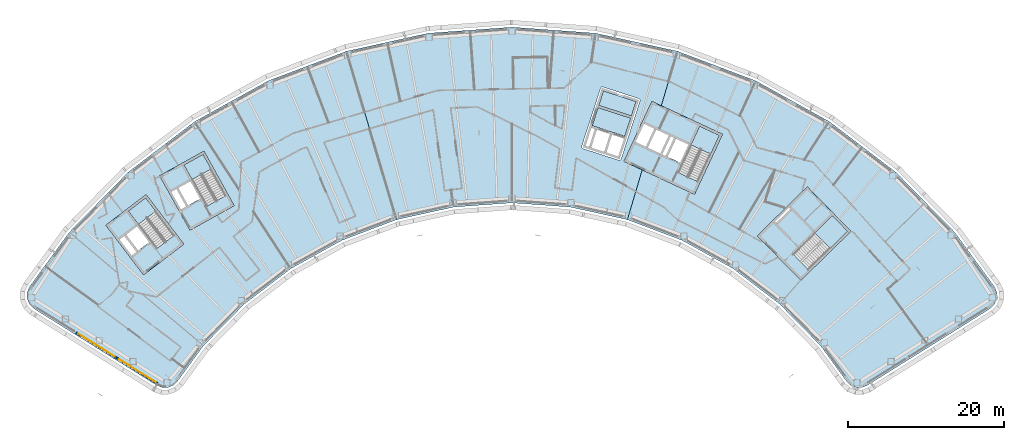
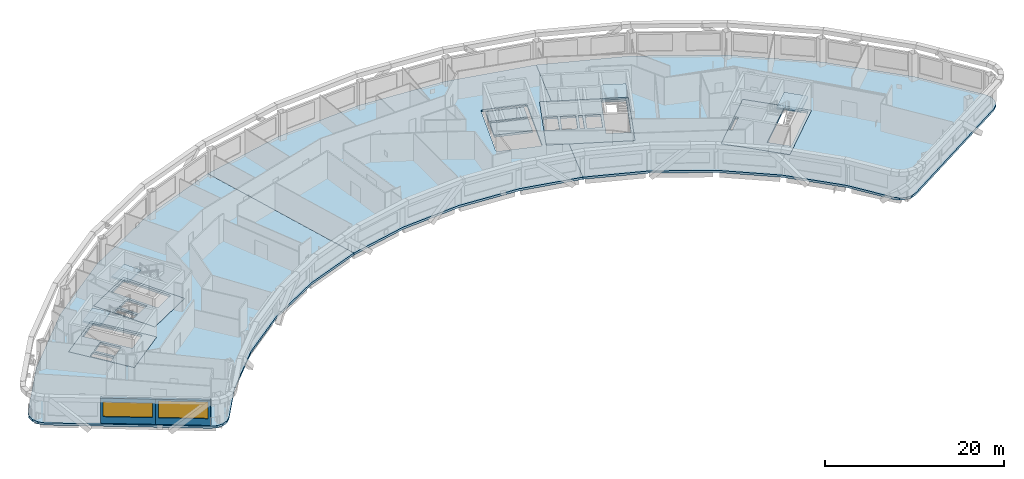
# One storey, part 4 of 21: 13 slabs, 2 walls, 2 windows, 2 openings, 4 elements without a shape of their own.
"""IFC4 building model written with IfcOpenShell, lengths in metres."""

from ifc_helpers import new_model, si_unit, direction, frame, frame_2d, origin, place, context, subcontext, project, spatial, polyline, rectangle, outline, extrude, material, layer, layer_set, type_object, element, fill, aggregate, save


model = new_model("IFC4")

# Units and contexts
model_context = context("Model", 3, precision=1e-05, world=origin(), true_north=direction((0.0, 1.0)))
body_context = subcontext(model_context, "Body", "Model", "MODEL_VIEW")
ifc_project = project(units=[si_unit("LENGTHUNIT", "METRE"), si_unit("AREAUNIT", "SQUARE_METRE"), si_unit("VOLUMEUNIT", "CUBIC_METRE"), si_unit("PLANEANGLEUNIT", "RADIAN"), si_unit("MASSUNIT", "GRAM", prefix="KILO")], contexts=[model_context])

# Site, building, storey
site_placement = place(None, origin())
site = spatial("IfcSite", under=ifc_project, at=site_placement, CompositionType="ELEMENT")
building_placement = place(site_placement, origin())
building = spatial("IfcBuilding", under=site, at=building_placement, Name="Tuul Gate Civic Tower", CompositionType="ELEMENT")
storey_placement = place(building_placement, frame((0.0, 0.0, 273.60009765625)))
storey = spatial("IfcBuildingStorey", under=building, at=storey_placement, Name="Level 62", CompositionType="ELEMENT", Elevation=273.60009765625)

# Slabs
ifc_material_1 = material(Name="Concrete C40/50", Category="concrete")
ifc_layer_1 = layer(ifc_material_1, 0.300048828125)
ifc_layer_set_1 = layer_set([ifc_layer_1], Name="Concrete C40/50")
slab_type_1 = type_object("IfcSlabType", Name="Core floor slab 300", PredefinedType="FLOOR", material=ifc_layer_set_1)
slab_1_placement = place(storey_placement, frame((0.0, 0.0, -0.300048828125)))
element("IfcSlab", 1, at=slab_1_placement, inside=storey, type_object=slab_type_1, Name="FLOOR SLAB", PredefinedType="FLOOR", context=body_context, shape_type="SweptSolid", body=[
    extrude(outline(polyline([(-31.10009765625, -13.7890625), (-35.946044921875, -7.423828125), (-41.11767578125, -11.361572265625), (-36.271484375, -17.726806640625), (-31.10009765625, -13.7890625)]), holes=[polyline([(-35.561767578125, -13.541259765625), (-37.1064453125, -11.512451171875), (-38.498779296875, -12.572509765625), (-36.9541015625, -14.6015625), (-35.561767578125, -13.541259765625)]), polyline([(-37.19287109375, -14.783203125), (-38.737548828125, -12.75439453125), (-39.45361328125, -13.299560546875), (-37.908935546875, -15.328369140625), (-37.19287109375, -14.783203125)]), polyline([(-32.33935546875, -12.65771484375), (-34.56591796875, -14.352783203125), (-38.229736328125, -9.54052734375), (-36.003173828125, -7.845458984375), (-32.33935546875, -12.65771484375)])]), origin(), (0.0, 0.0, 1.0), 0.300048828125),
])
slab_2_placement = place(storey_placement, frame((0.0, 0.0, -0.300048828125)))
element("IfcSlab", 2, at=slab_2_placement, inside=storey, type_object=slab_type_1, Name="FLOOR SLAB", PredefinedType="FLOOR", context=body_context, shape_type="SweptSolid", body=[
    extrude(outline(polyline([(-24.638916015625, -8.846923828125), (-28.51708984375, -1.849853515625), (-34.2021484375, -5.0009765625), (-30.32421875, -11.998046875), (-24.638916015625, -8.846923828125)]), holes=[polyline([(-29.0185546875, -7.958740234375), (-30.254638671875, -5.728515625), (-31.785400390625, -6.576904296875), (-30.54931640625, -8.80712890625), (-29.0185546875, -7.958740234375)]), polyline([(-30.8115234375, -8.95263671875), (-32.047607421875, -6.72216796875), (-32.8349609375, -7.158447265625), (-31.5986328125, -9.388916015625), (-30.8115234375, -8.95263671875)]), polyline([(-25.702392578125, -7.548828125), (-28.14990234375, -8.905517578125), (-31.08203125, -3.615234375), (-28.63427734375, -2.2587890625), (-25.702392578125, -7.548828125)])]), origin(), (0.0, 0.0, 1.0), 0.300048828125),
])
slab_3_placement = place(storey_placement, frame((0.0, 0.0, -0.300048828125)))
element("IfcSlab", 3, at=slab_3_placement, inside=storey, type_object=slab_type_1, Name="FLOOR SLAB", PredefinedType="FLOOR", context=body_context, shape_type="SweptSolid", body=[
    extrude(outline(polyline([(48.117919921875, -18.43310546875), (54.545166015625, -12.1328125), (48.945068359375, -6.419921875), (42.517822265625, -12.719970703125), (48.117919921875, -18.43310546875)]), holes=[polyline([(44.93896484375, -11.046875), (46.760009765625, -9.261962890625), (46.514892578125, -9.011962890625), (44.69384765625, -10.797119140625), (44.93896484375, -11.046875)]), polyline([(49.086181640625, -17.062744140625), (47.12744140625, -15.064208984375), (52.160888671875, -10.130126953125), (54.11962890625, -12.128662109375), (49.086181640625, -17.062744140625)])]), origin(), (0.0, 0.0, 1.0), 0.300048828125),
])
slab_4_placement = place(storey_placement, frame((0.0, 0.0, -0.300048828125)))
element("IfcSlab", 4, at=slab_4_placement, inside=storey, type_object=slab_type_1, Name="FLOOR SLAB", PredefinedType="FLOOR", context=body_context, shape_type="SweptSolid", body=[
    extrude(outline(polyline([(34.465087890625, -7.385986328125), (38.056884765625, 0.31787109375), (28.993896484375, 4.543701171875), (25.40185546875, -3.159912109375), (34.465087890625, -7.385986328125)]), holes=[polyline([(32.60888671875, -3.32080078125), (33.6865234375, -1.009765625), (32.1005859375, -0.27001953125), (31.02294921875, -2.581298828125), (32.60888671875, -3.32080078125)]), polyline([(30.0712890625, -2.137451171875), (31.14892578125, 0.173583984375), (29.562744140625, 0.9130859375), (28.4853515625, -1.39794921875), (30.0712890625, -2.137451171875)]), polyline([(30.751220703125, -2.454345703125), (31.82861328125, -0.143310546875), (31.4208984375, 0.046875), (30.34326171875, -2.264404296875), (30.751220703125, -2.454345703125)]), polyline([(28.21337890625, -1.27099609375), (29.291015625, 1.0400390625), (27.8408203125, 1.71630859375), (26.76318359375, -0.594970703125), (28.21337890625, -1.27099609375)]), polyline([(34.889892578125, -5.7626953125), (32.353759765625, -4.580078125), (35.120849609375, 1.354736328125), (37.6572265625, 0.17236328125), (34.889892578125, -5.7626953125)])]), origin(), (0.0, 0.0, 1.0), 0.300048828125),
])
ifc_material_2 = material(Name="Concrete C40/50", Category="concrete")
ifc_layer_2 = layer(ifc_material_2, 0.300048828125)
ifc_layer_set_2 = layer_set([ifc_layer_2], Name="Concrete C40/50")
slab_type_2 = type_object("IfcSlabType", Name="Core floor slab 300 non-bearing", PredefinedType="FLOOR", material=ifc_layer_set_2)
slab_5_placement = place(storey_placement, frame((0.0, 0.0, -0.300048828125)))
element("IfcSlab", 5, at=slab_5_placement, inside=storey, type_object=slab_type_2, Name="FLOOR SLAB", PredefinedType="FLOOR", context=body_context, shape_type="SweptSolid", body=[
    extrude(outline(polyline([(21.322265625, 1.41650390625), (22.07958984375, 3.74658203125), (26.26416015625, 2.38671875), (25.507080078125, 0.056640625), (21.322265625, 1.41650390625)])), origin(), (0.0, 0.0, 1.0), 0.300048828125),
])
slab_6_placement = place(storey_placement, frame((0.0, 0.0, -0.300048828125)))
element("IfcSlab", 6, at=slab_6_placement, inside=storey, type_object=slab_type_2, Name="FLOOR SLAB", PredefinedType="FLOOR", context=body_context, shape_type="SweptSolid", body=[
    extrude(outline(polyline([(26.35693359375, 2.672119140625), (22.17236328125, 4.031982421875), (22.775146484375, 5.88623046875), (26.959716796875, 4.526611328125), (26.35693359375, 2.672119140625)])), origin(), (0.0, 0.0, 1.0), 0.300048828125),
])

# Stair, slab
ifc_material_3 = material(Name="Concrete C40/50", Category="concrete")
stair_type = type_object("IfcStairType", Name="Exit stair", PredefinedType="HALF_TURN_STAIR", material=ifc_material_3)
stair_1_placement = place(storey_placement, origin())
stair_1 = element("IfcStair", 7, at=stair_1_placement, inside=storey, type_object=stair_type, Name="Level 62 ST-1", PredefinedType="HALF_TURN_STAIR")
ifc_material_4 = material(Name="Concrete C40/50", Category="concrete")
ifc_layer_3 = layer(ifc_material_4, 0.199951171875)
ifc_layer_set_3 = layer_set([ifc_layer_3], Name="Concrete C40/50")
slab_type_3 = type_object("IfcSlabType", Name="Exit stair landing", PredefinedType="LANDING", material=ifc_layer_set_3)
slab_7_placement = place(storey_placement, frame((0.0, 0.0, 1.89990234375)))
slab_7 = element("IfcSlab", 8, at=slab_7_placement, type_object=slab_type_3, Name="ST-1 landing 1", PredefinedType="LANDING", context=body_context, shape_type="SweptSolid", body=[
    extrude(outline(polyline([(-34.699462890625, -9.554931640625), (-36.9287109375, -11.252197265625), (-38.23193359375, -9.540283203125), (-36.0029296875, -7.843017578125), (-34.699462890625, -9.554931640625)])), origin(), (0.0, 0.0, 1.0), 0.199951171875),
])
aggregate(stair_1, [slab_7])

stair_2_placement = place(storey_placement, origin())
stair_2 = element("IfcStair", 9, at=stair_2_placement, inside=storey, type_object=stair_type, Name="Level 62 ST-2", PredefinedType="HALF_TURN_STAIR")
slab_8_placement = place(storey_placement, frame((0.0, 0.0, 1.89990234375)))
slab_8 = element("IfcSlab", 10, at=slab_8_placement, type_object=slab_type_3, Name="ST-2 landing 1", PredefinedType="LANDING", context=body_context, shape_type="SweptSolid", body=[
    extrude(outline(polyline([(-27.5908203125, -4.138427734375), (-30.041015625, -5.49658203125), (-31.084228515625, -3.61474609375), (-28.6337890625, -2.256591796875), (-27.5908203125, -4.138427734375)])), origin(), (0.0, 0.0, 1.0), 0.199951171875),
])
aggregate(stair_2, [slab_8])

stair_3_placement = place(storey_placement, origin())
stair_3 = element("IfcStair", 11, at=stair_3_placement, inside=storey, type_object=stair_type, Name="Level 62 ST-3", PredefinedType="HALF_TURN_STAIR")
slab_9_placement = place(storey_placement, frame((0.0, 0.0, 1.89990234375)))
slab_9 = element("IfcSlab", 12, at=slab_9_placement, type_object=slab_type_3, Name="ST-3 landing 1", PredefinedType="LANDING", context=body_context, shape_type="SweptSolid", body=[
    extrude(outline(polyline([(51.871337890625, -14.3349609375), (49.91015625, -12.334228515625), (52.160888671875, -10.1279296875), (54.1220703125, -12.128662109375), (51.871337890625, -14.3349609375)])), origin(), (0.0, 0.0, 1.0), 0.199951171875),
])
aggregate(stair_3, [slab_9])

stair_4_placement = place(storey_placement, origin())
stair_4 = element("IfcStair", 13, at=stair_4_placement, inside=storey, type_object=stair_type, Name="Level 62 ST-4", PredefinedType="HALF_TURN_STAIR")
slab_10_placement = place(storey_placement, frame((0.0, 0.0, 1.89990234375)))
slab_10 = element("IfcSlab", 14, at=slab_10_placement, type_object=slab_type_3, Name="ST-4 landing 1", PredefinedType="LANDING", context=body_context, shape_type="SweptSolid", body=[
    extrude(outline(polyline([(36.538818359375, -2.230224609375), (33.999755859375, -1.046142578125), (35.1201171875, 1.35693359375), (37.659423828125, 0.173095703125), (36.538818359375, -2.230224609375)])), origin(), (0.0, 0.0, 1.0), 0.199951171875),
])
aggregate(stair_4, [slab_10])

# Slabs
ifc_material_5 = material(Name="Concrete C35/45", Category="concrete")
ifc_layer_4 = layer(ifc_material_5, 0.300048828125)
ifc_layer_set_4 = layer_set([ifc_layer_4], Name="Concrete C35/45")
slab_type_4 = type_object("IfcSlabType", Name="STR-FLOOR-SLAB-300", PredefinedType="FLOOR", material=ifc_layer_set_4)
slab_11_placement = place(storey_placement, frame((0.0, 0.0, -0.300048828125)))
element("IfcSlab", 15, at=slab_11_placement, inside=storey, type_object=slab_type_4, Name="Level 62/slab/W", PredefinedType="FLOOR", context=body_context, shape_type="SweptSolid", body=[
    extrude(outline(polyline([(-10.802978515625, -13.294921875), (-3.782958984375, -10.64111328125), (-10.217041015625, 10.98095703125), (-20.285888671875, 7.174072265625), (-29.699951171875, 1.955078125), (-38.264892578125, -4.56591796875), (-45.800048828125, -12.2529296875), (-50.881103515625, -19.208984375), (-51.217041015625, -19.951904296875), (-51.22900390625, -20.76806640625), (-50.9140625, -21.52001953125), (-50.324951171875, -22.0849609375), (-34.594970703125, -31.9140625), (-33.90087890625, -32.18408203125), (-33.156005859375, -32.181884765625), (-32.464111328125, -31.906982421875), (-31.919921875, -31.39697265625), (-28.591064453125, -26.839111328125), (-23.337890625, -21.47998046875), (-17.366943359375, -16.93408203125), (-10.802978515625, -13.294921875)]), holes=[polyline([(-31.10009765625, -13.7890625), (-36.27197265625, -17.72705078125), (-41.117919921875, -11.362060546875), (-35.946044921875, -7.424072265625), (-31.10009765625, -13.7890625)]), polyline([(-24.638916015625, -8.846923828125), (-30.323974609375, -11.998046875), (-34.201904296875, -5.0009765625), (-28.51708984375, -1.85009765625), (-24.638916015625, -8.846923828125)])]), origin(), (0.0, 0.0, 1.0), 0.300048828125),
])
slab_12_placement = place(storey_placement, frame((0.0, 0.0, -0.300048828125)))
element("IfcSlab", 16, at=slab_12_placement, inside=storey, type_object=slab_type_4, Name="Level 62/slab/M", PredefinedType="FLOOR", context=body_context, shape_type="SweptSolid", body=[
    extrude(outline(polyline([(18.51611328125, -9.02490234375), (25.844970703125, -10.64111328125), (27.74609375, -4.2529296875), (25.402099609375, -3.159912109375), (28.993896484375, 4.5439453125), (30.197021484375, 3.98291015625), (32.279052734375, 10.98095703125), (21.76708984375, 13.298095703125), (11.031005859375, 14.075927734375), (0.294921875, 13.298095703125), (-10.217041015625, 10.98095703125), (-3.782958984375, -10.64111328125), (3.5458984375, -9.02490234375), (11.031005859375, -8.48291015625), (18.51611328125, -9.02490234375)]), holes=[polyline([(20.06396484375, -1.487060546875), (19.967041015625, -1.298095703125), (22.43896484375, 6.31103515625), (22.6279296875, 6.407958984375), (27.384033203125, 4.863037109375), (27.48095703125, 4.674072265625), (25.008056640625, -2.93505859375), (24.819091796875, -3.031982421875), (20.06396484375, -1.487060546875)])]), origin(), (0.0, 0.0, 1.0), 0.300048828125),
])
slab_13_placement = place(storey_placement, frame((0.0, 0.0, -0.300048828125)))
element("IfcSlab", 17, at=slab_13_placement, inside=storey, type_object=slab_type_4, Name="Level 62/slab/E", PredefinedType="FLOOR", context=body_context, shape_type="SweptSolid", body=[
    extrude(outline(polyline([(55.962890625, -32.18408203125), (56.656982421875, -31.9140625), (72.386962890625, -22.0849609375), (72.97607421875, -21.52001953125), (73.291015625, -20.76806640625), (73.279052734375, -19.951904296875), (72.94189453125, -19.208984375), (67.862060546875, -12.2529296875), (60.325927734375, -4.56591796875), (51.761962890625, 1.955078125), (42.347900390625, 7.174072265625), (32.279052734375, 10.98095703125), (30.197021484375, 3.98291015625), (38.056884765625, 0.318115234375), (34.465087890625, -7.385986328125), (27.74609375, -4.2529296875), (25.844970703125, -10.64111328125), (32.864990234375, -13.294921875), (39.428955078125, -16.93408203125), (45.39990234375, -21.47998046875), (50.653076171875, -26.839111328125), (53.98193359375, -31.39697265625), (54.52587890625, -31.906982421875), (55.218017578125, -32.181884765625), (55.962890625, -32.18408203125)]), holes=[polyline([(48.117919921875, -18.43310546875), (42.51806640625, -12.719970703125), (48.945068359375, -6.419921875), (54.544921875, -12.133056640625), (48.117919921875, -18.43310546875)])]), origin(), (0.0, 0.0, 1.0), 0.300048828125),
])

# Wall, opening, window
ifc_material_6 = material(Name="Precast concrete C40/50", Category="concrete")
ifc_layer_5 = layer(ifc_material_6, 0.25)
ifc_layer_set_5 = layer_set([ifc_layer_5], Name="Precast concrete C40/50")
wall_type = type_object("IfcWallType", Name="External wall", PredefinedType="STANDARD", material=ifc_layer_set_5)
wall_1_placement = place(storey_placement, frame((-44.9365234375, -25.127685546875, 0.0), z_axis=(0.0, 0.0, 1.0), x_axis=(0.848036012993, -0.529938600846, 0.0)))
wall_1 = element("IfcWall", 18, at=wall_1_placement, inside=storey, type_object=wall_type, Name="External wall", PredefinedType="STANDARD", context=body_context, shape_type="SweptSolid", body=[
    extrude(rectangle(XDim=6.18310546875, YDim=0.25, at=frame_2d((3.091552734375, 0.0))), origin(), (0.0, 0.0, 1.0), 3.449951171875),
])
opening_1_placement = place(wall_1_placement, frame((0.31591796875, 0.0, 0.89990234375)))
opening_1 = element("IfcOpeningElement", 19, at=opening_1_placement, cuts=wall_1, Name="Opening W151", PredefinedType="OPENING", context=body_context, shape_type="SweptSolid", body=[
    extrude(rectangle(XDim=5.550048828125, YDim=2.0, at=frame_2d((2.77490234375, 1.0))), frame((0.0, 0.135009765625, 0.0), z_axis=(0.0, -1.0, 0.0), x_axis=(1.0, 0.0, 0.0)), (0.0, 0.0, 1.0), 0.27001953125),
])
ifc_material_7 = material(Name="Glass", Category="glass")
window_type_1 = type_object("IfcWindowType", Name="Window W151 5550 x 2000", PartitioningType="SINGLE_PANEL", PredefinedType="WINDOW", material=ifc_material_7)
window_1_placement = place(opening_1_placement, origin())
window_1 = element("IfcWindow", 20, at=window_1_placement, inside=storey, type_object=window_type_1, Name="Window", OverallHeight=2.0, OverallWidth=5.550048828125, PartitioningType="SINGLE_PANEL", PredefinedType="WINDOW", context=body_context, shape_type="SweptSolid", body=[
    extrude(rectangle(XDim=5.550048828125, YDim=2.0, at=frame_2d((2.77490234375, 1.0))), frame((0.0, 0.030029296875, 0.0), z_axis=(0.0, -1.0, 0.0), x_axis=(1.0, 0.0, 0.0)), (0.0, 0.0, 1.0), 0.06005859375),
])
fill(opening_1, window_1)

wall_2_placement = place(storey_placement, frame((-39.693115234375, -28.404296875, 0.0), z_axis=(0.0, 0.0, 1.0), x_axis=(0.848036012993, -0.529938600846, 0.0)))
wall_2 = element("IfcWall", 21, at=wall_2_placement, inside=storey, type_object=wall_type, Name="External wall", PredefinedType="STANDARD", context=body_context, shape_type="SweptSolid", body=[
    extrude(rectangle(XDim=6.18310546875, YDim=0.25, at=frame_2d((3.091552734375, 0.0))), origin(), (0.0, 0.0, 1.0), 3.449951171875),
])
opening_2_placement = place(wall_2_placement, frame((0.31640625, 0.0, 0.89990234375)))
opening_2 = element("IfcOpeningElement", 22, at=opening_2_placement, cuts=wall_2, Name="Opening W24", PredefinedType="OPENING", context=body_context, shape_type="SweptSolid", body=[
    extrude(rectangle(XDim=5.550048828125, YDim=2.300048828125, at=frame_2d((2.77490234375, 1.14990234375))), frame((0.0, 0.135009765625, 0.0), z_axis=(0.0, -1.0, 0.0), x_axis=(1.0, 0.0, 0.0)), (0.0, 0.0, 1.0), 0.27001953125),
])
ifc_material_8 = material(Name="Glass", Category="glass")
window_type_2 = type_object("IfcWindowType", Name="Window W24 5550 x 2300", PartitioningType="SINGLE_PANEL", PredefinedType="WINDOW", material=ifc_material_8)
window_2_placement = place(opening_2_placement, origin())
window_2 = element("IfcWindow", 23, at=window_2_placement, inside=storey, type_object=window_type_2, Name="Window", OverallHeight=2.300048828125, OverallWidth=5.550048828125, PartitioningType="SINGLE_PANEL", PredefinedType="WINDOW", context=body_context, shape_type="SweptSolid", body=[
    extrude(rectangle(XDim=5.550048828125, YDim=2.300048828125, at=frame_2d((2.77490234375, 1.14990234375))), frame((0.0, 0.030029296875, 0.0), z_axis=(0.0, -1.0, 0.0), x_axis=(1.0, 0.0, 0.0)), (0.0, 0.0, 1.0), 0.06005859375),
])
fill(opening_2, window_2)

save(model, "model.ifc")
